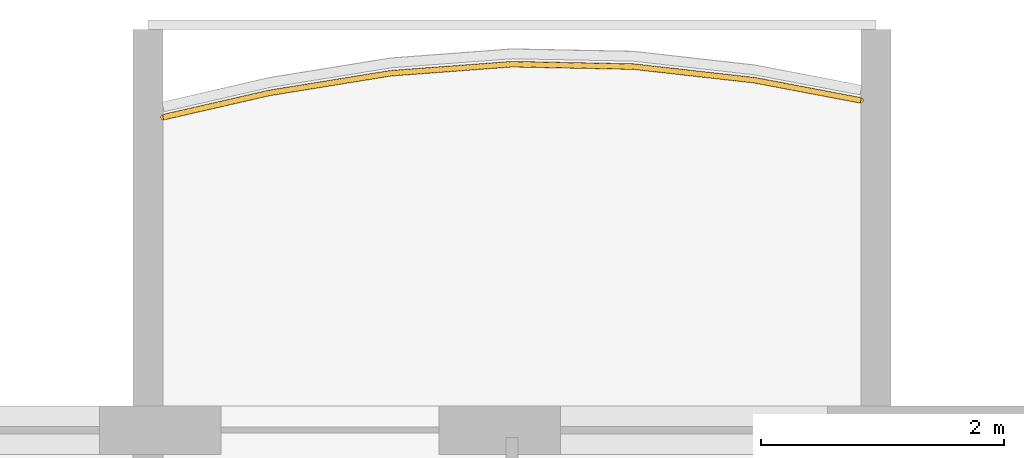
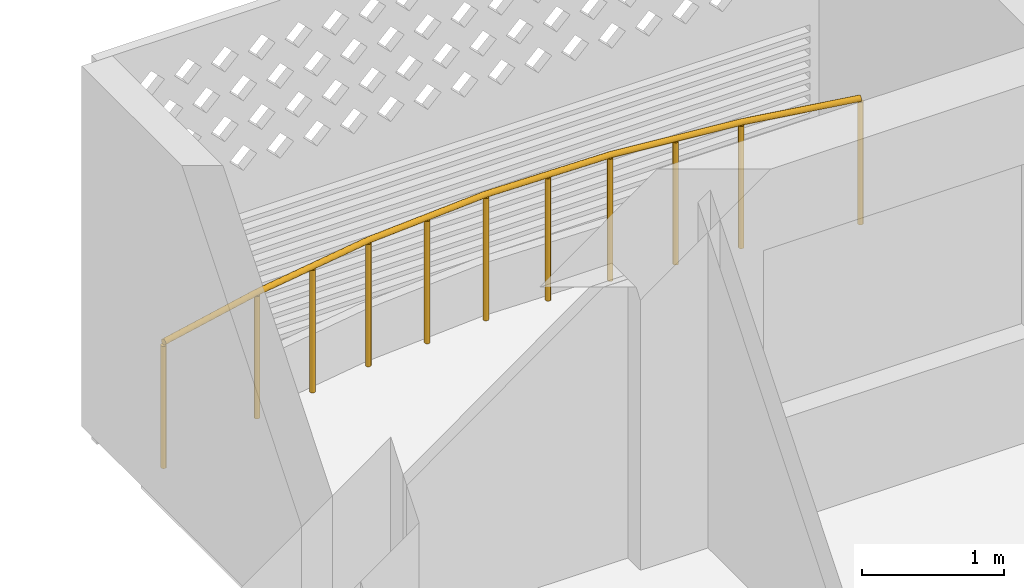
# One storey, part 26 of 27: 1 railing.
"""IFC4 building model written with IfcOpenShell, lengths in metres."""

from ifc_helpers import new_model, si_unit, direction, frame, origin, origin_2d, place, context, subcontext, project, spatial, circle, extrude, material, type_object, element, save


model = new_model("IFC4")

# Units and contexts
model_context = context("Model", 3, precision=1e-05, world=origin(), true_north=direction((0.0, 1.0)))
body_context = subcontext(model_context, "Body", "Model", "MODEL_VIEW")
ifc_project = project(units=[si_unit("LENGTHUNIT", "METRE"), si_unit("AREAUNIT", "SQUARE_METRE"), si_unit("VOLUMEUNIT", "CUBIC_METRE"), si_unit("PLANEANGLEUNIT", "RADIAN"), si_unit("MASSUNIT", "GRAM", prefix="KILO")], contexts=[model_context])

# Site, building, storey
site_placement = place(None, origin())
site = spatial("IfcSite", under=ifc_project, at=site_placement, CompositionType="ELEMENT")
building_placement = place(site_placement, origin())
building = spatial("IfcBuilding", under=site, at=building_placement, Name="Poui Terraces", CompositionType="ELEMENT")
storey_placement = place(building_placement, frame((0.0, 0.0, 204.89990234375)))
storey = spatial("IfcBuildingStorey", under=building, at=storey_placement, Name="L57", CompositionType="ELEMENT", Elevation=204.89990234375)

# Railing
ifc_material = material(Name="Painted steel fretwork", Category="steel")
railing_type = type_object("IfcRailingType", Name="BALCONY GUARD 1100", PredefinedType="GUARDRAIL", material=ifc_material)
railing_placement = place(storey_placement, frame((72.125, 43.77880859375, 0.0)))
element("IfcRailing", 1, at=railing_placement, inside=storey, type_object=railing_type, Name="BALCONY GUARD", PredefinedType="GUARDRAIL", context=body_context, shape_type="SweptSolid", body=[
    extrude(circle(Radius=0.02392578125, at=origin_2d()), frame((0.0, 0.0, 1.076171875), z_axis=(0.974811218774, 0.223031584653, 0.0), x_axis=(-0.223031584653, 0.974811218774, 0.0)), (0.0, 0.0, 1.0), 0.897705078125),
    extrude(circle(Radius=0.02392578125, at=origin_2d()), frame((0.875, 0.2001953125, 1.076171875), z_axis=(0.987113709708, 0.160020386535, 0.0), x_axis=(-0.160020386535, 0.987113709708, 0.0)), (0.0, 0.0, 1.0), 1.012939453125),
    extrude(circle(Radius=0.02392578125, at=origin_2d()), frame((1.875, 0.3623046875, 1.076171875), z_axis=(0.997221056601, 0.074499424639, 0.0), x_axis=(-0.074499424639, 0.997221056601, 0.0)), (0.0, 0.0, 1.0), 1.002685546875),
    extrude(circle(Radius=0.02392578125, at=origin_2d()), frame((2.875, 0.43701171875, 1.076171875), z_axis=(0.999804524294, -0.019771525017, 0.0), x_axis=(0.019771525017, 0.999804524294, 0.0)), (0.0, 0.0, 1.0), 1.000244140625),
    extrude(circle(Radius=0.02392578125, at=origin_2d()), frame((3.875, 0.417236328125, 1.076171875), z_axis=(0.993725924527, -0.111842688283, 0.0), x_axis=(0.111842688283, 0.993725924527, 0.0)), (0.0, 0.0, 1.0), 1.00634765625),
    extrude(circle(Radius=0.02392578125, at=origin_2d()), frame((4.875, 0.3046875, 1.076171875), z_axis=(0.982472677571, -0.186406646414, 0.0), x_axis=(0.186406646414, 0.982472677571, 0.0)), (0.0, 0.0, 1.0), 0.890625),
    extrude(circle(Radius=0.02099609375, at=origin_2d()), origin(), (0.0, 0.0, 1.0), 1.052001953125),
    extrude(circle(Radius=0.02099609375, at=origin_2d()), frame((0.875, 0.2001953125, 0.0)), (0.0, 0.0, 1.0), 1.052001953125),
    extrude(circle(Radius=0.02099609375, at=origin_2d()), frame((1.375, 0.28125, 0.0)), (0.0, 0.0, 1.0), 1.052001953125),
    extrude(circle(Radius=0.02099609375, at=origin_2d()), frame((1.875, 0.3623046875, 0.0)), (0.0, 0.0, 1.0), 1.052001953125),
    extrude(circle(Radius=0.02099609375, at=origin_2d()), frame((2.375, 0.399658203125, 0.0)), (0.0, 0.0, 1.0), 1.052001953125),
    extrude(circle(Radius=0.02099609375, at=origin_2d()), frame((2.875, 0.43701171875, 0.0)), (0.0, 0.0, 1.0), 1.052001953125),
    extrude(circle(Radius=0.02099609375, at=origin_2d()), frame((3.375, 0.42724609375, 0.0)), (0.0, 0.0, 1.0), 1.052001953125),
    extrude(circle(Radius=0.02099609375, at=origin_2d()), frame((3.875, 0.417236328125, 0.0)), (0.0, 0.0, 1.0), 1.052001953125),
    extrude(circle(Radius=0.02099609375, at=origin_2d()), frame((4.375, 0.36083984375, 0.0)), (0.0, 0.0, 1.0), 1.052001953125),
    extrude(circle(Radius=0.02099609375, at=origin_2d()), frame((4.875, 0.3046875, 0.0)), (0.0, 0.0, 1.0), 1.052001953125),
    extrude(circle(Radius=0.02099609375, at=origin_2d()), frame((5.75, 0.138671875, 0.0)), (0.0, 0.0, 1.0), 1.052001953125),
])

save(model, "model.ifc")
